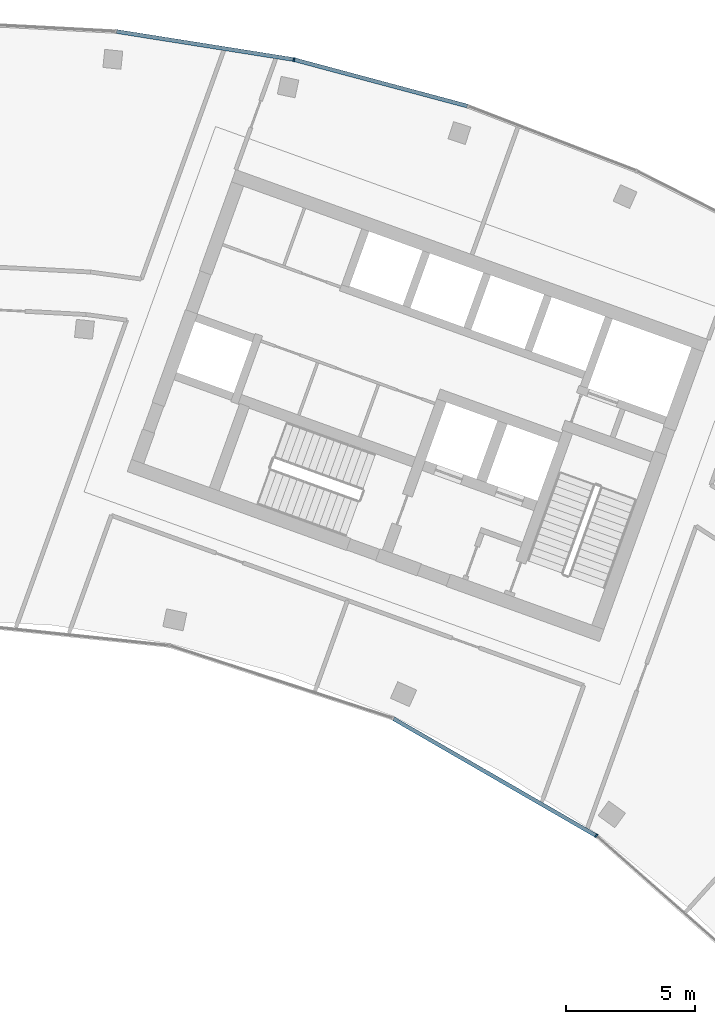
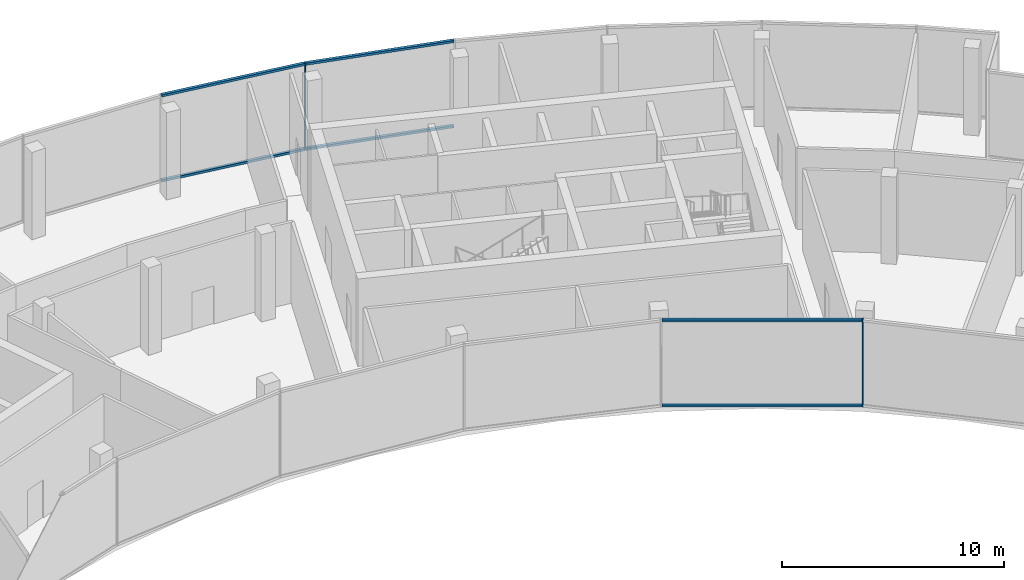
# One storey, part 8 of 17: 8 members, 2 elements without a shape of their own.
"""IFC4 building model written with IfcOpenShell, lengths in metres."""

import ifcopenshell
import ifcopenshell.guid

model = None  # the IFC model being written
_history = None  # IfcOwnerHistory: only IFC2X3 demands one
_inside = {}  # id of a spatial element -> (the spatial element, [elements in it])
_under = {}  # id of a project, library or spatial element -> (it, [spatial elements below it])
_declared = {}  # id of a project -> (the project, [libraries it declares])
_typed = {}  # id of a type object -> (the type object, [elements of that type])
_made_of = {}  # id of a material, layer set ... -> (it, [elements and type objects made of it])


def new_model(schema):
    """Start an empty IFC model of exactly this schema.

    Asked for "IFC4X3", IfcOpenShell would pick the latest addendum, in which some entities
    have other attributes; the version numbers below select the first issue.
    IFC2X3 requires an IfcOwnerHistory on every rooted entity: one is made here for all.
    """
    global model, _history
    if schema == "IFC4X3":
        model = ifcopenshell.file(schema_version=(4, 3, 0, 0))
    else:
        model = ifcopenshell.file(schema=schema)
    _inside.clear()
    _under.clear()
    _declared.clear()
    _typed.clear()
    _made_of.clear()
    _history = None
    if model.schema == "IFC2X3":
        org = make("IfcOrganization", Name="unknown")
        user = make(
            "IfcPersonAndOrganization",
            ThePerson=make("IfcPerson", FamilyName="unknown"),
            TheOrganization=org,
        )
        app = make(
            "IfcApplication",
            ApplicationDeveloper=org,
            Version="unknown",
            ApplicationFullName="unknown",
            ApplicationIdentifier="unknown",
        )
        _history = make(
            "IfcOwnerHistory",
            OwningUser=user,
            OwningApplication=app,
            ChangeAction="ADDED",
            CreationDate=0,
        )
    return model


def make(cls, **values):
    """One entity of the class cls with the attributes given. An attribute that is None is left unset."""
    return model.create_entity(
        cls, **{name: value for name, value in values.items() if value is not None}
    )


def rooted(cls, **values):
    """An entity with a GlobalId (a new one), such as an element, a storey or a relation."""
    return make(cls, GlobalId=ifcopenshell.guid.new(), OwnerHistory=_history, **values)


def si_unit(unit_type, name, prefix=None):
    """IfcSIUnit, for example si_unit("LENGTHUNIT", "METRE", prefix="MILLI")."""
    return make("IfcSIUnit", UnitType=unit_type, Prefix=prefix, Name=name)


def assignment(units):
    """IfcUnitAssignment: the units of a project."""
    return None if units is None else make("IfcUnitAssignment", Units=units)


def point(xyz):
    """IfcCartesianPoint."""
    return None if xyz is None else make("IfcCartesianPoint", Coordinates=xyz)


def direction(xyz):
    """IfcDirection."""
    return None if xyz is None else make("IfcDirection", DirectionRatios=xyz)


def frame(location, z_axis=None, x_axis=None):
    """IfcAxis2Placement3D, a coordinate frame: its origin and axes. An axis left out is left unset."""
    return make(
        "IfcAxis2Placement3D",
        Location=point(location),
        Axis=direction(z_axis),
        RefDirection=direction(x_axis),
    )


def frame_2d(location, x_axis=None):
    """IfcAxis2Placement2D, a coordinate frame in the plane: its origin and x axis."""
    return make(
        "IfcAxis2Placement2D", Location=point(location), RefDirection=direction(x_axis)
    )


def origin():
    """The frame at (0, 0, 0) with its axes left unset."""
    return frame((0.0, 0.0, 0.0))


def origin_2d():
    """The frame at (0, 0) in the plane with its x axis left unset."""
    return frame_2d((0.0, 0.0))


def place(relative_to, where):
    """IfcLocalPlacement: puts the frame where relative to a parent placement (None: the world)."""
    return make(
        "IfcLocalPlacement", PlacementRelTo=relative_to, RelativePlacement=where
    )


def context(
    kind, dimensions, precision=None, world=None, true_north=None, identifier=None
):
    """IfcGeometricRepresentationContext, for example the 3D "Model" context."""
    return make(
        "IfcGeometricRepresentationContext",
        ContextIdentifier=identifier,
        ContextType=kind,
        CoordinateSpaceDimension=dimensions,
        Precision=precision,
        WorldCoordinateSystem=world,
        TrueNorth=true_north,
    )


def subcontext(parent, identifier, kind, view, scale=None):
    """IfcGeometricRepresentationSubContext, for example "Body" below "Model"."""
    return make(
        "IfcGeometricRepresentationSubContext",
        ContextIdentifier=identifier,
        ContextType=kind,
        ParentContext=parent,
        TargetScale=scale,
        TargetView=view,
    )


def project(units=None, contexts=None):
    """IfcProject with its units and contexts."""
    return rooted(
        "IfcProject",
        Name="project",
        RepresentationContexts=contexts,
        UnitsInContext=assignment(units),
    )


def spatial(cls, under=None, at=None, **own):
    """A site, building, storey or space (cls), placed at a placement, below another one or the project."""
    s = rooted(cls, ObjectPlacement=at, **own)
    if under is not None:
        _under.setdefault(under.id(), (under, []))[1].append(s)
    return s


def profile(cls, at=None, kind="AREA", **sizes):
    """A parametric profile (cls). Its sizes go by their IFC names, for example OverallWidth=200.0."""
    return make(cls, ProfileType=kind, Position=at, **sizes)


def rectangle(**sizes):
    """IfcRectangleProfileDef."""
    return profile("IfcRectangleProfileDef", **sizes)


def extrude(swept, where, along, depth):
    """IfcExtrudedAreaSolid: the profile swept, set in the frame where, extruded along a direction by depth."""
    return make(
        "IfcExtrudedAreaSolid",
        SweptArea=swept,
        Position=where,
        ExtrudedDirection=direction(along),
        Depth=depth,
    )


def shape(context_of_items, identifier, shape_type, items):
    """IfcShapeRepresentation: the items that make up one representation, for example the "Body"."""
    return make(
        "IfcShapeRepresentation",
        ContextOfItems=context_of_items,
        RepresentationIdentifier=identifier,
        RepresentationType=shape_type,
        Items=items,
    )


def material(Name=None, Category=None):
    """IfcMaterial."""
    return make("IfcMaterial", Name=Name, Category=Category)


def layer(
    of_material, thickness, ventilated=None, Name=None, Category=None, Priority=None
):
    """IfcMaterialLayer: one layer of a wall or slab, of a material (None: an air gap)."""
    return make(
        "IfcMaterialLayer",
        Material=of_material,
        LayerThickness=thickness,
        IsVentilated=ventilated,
        Name=Name,
        Category=Category,
        Priority=Priority,
    )


def layer_set(layers, Name=None):
    """IfcMaterialLayerSet."""
    return make("IfcMaterialLayerSet", MaterialLayers=layers, LayerSetName=Name)


def material_profile(
    of_material, cross_section, Name=None, Category=None, Priority=None
):
    """IfcMaterialProfile: a cross section and its material."""
    return make(
        "IfcMaterialProfile",
        Name=Name,
        Material=of_material,
        Profile=cross_section,
        Priority=Priority,
        Category=Category,
    )


def profile_set(profiles, Name=None, composite=None):
    """IfcMaterialProfileSet."""
    return make(
        "IfcMaterialProfileSet",
        Name=Name,
        MaterialProfiles=profiles,
        CompositeProfile=composite,
    )


def made_of(thing, what):
    """Note that an element or type object is made of a material, layer set ...; save() writes the relation."""
    if what is not None:
        _made_of.setdefault(what.id(), (what, []))[1].append(thing)
    return thing


def type_object(cls, material=None, **own):
    """A type object (cls), such as IfcWallType, which elements share."""
    return made_of(rooted(cls, **own), material)


def element(
    cls,
    number,
    at=None,
    inside=None,
    cuts=None,
    type_object=None,
    material=None,
    context=None,
    identifier="Body",
    shape_type=None,
    held_by="IfcProductDefinitionShape",
    body=None,
    shapes=None,
    **own,
):
    """One element of the class cls, such as IfcWall. Its Tag is "e" and its number.

    at: its placement. inside: the storey or other place that contains it. cuts: it is an
    opening in that element (IfcRelVoidsElement). A single representation is given by context,
    identifier, shape_type and body (its items); several are given by shapes. held_by: the class
    of the entity that holds the representations. save() writes the other relations.
    """
    e = rooted(cls, Tag="e%d" % number, ObjectPlacement=at, **own)
    if body is not None:
        shapes = [shape(context, identifier, shape_type, body)]
    if shapes is not None:
        e.Representation = make(held_by, Representations=shapes)
    if inside is not None:
        _inside.setdefault(inside.id(), (inside, []))[1].append(e)
    if cuts is not None:
        rooted(
            "IfcRelVoidsElement", RelatingBuildingElement=cuts, RelatedOpeningElement=e
        )
    if type_object is not None:
        _typed.setdefault(type_object.id(), (type_object, []))[1].append(e)
    return made_of(e, material)


def aggregate(whole, parts):
    """IfcRelAggregates: a whole, such as a stair, and the parts it consists of."""
    return rooted("IfcRelAggregates", RelatingObject=whole, RelatedObjects=parts)


def save(model, path):
    """Write the relations noted so far, then the file.

    IfcRelAggregates (storeys below a building ...), IfcRelContainedInSpatialStructure (elements
    in a storey), IfcRelDefinesByType, IfcRelAssociatesMaterial and IfcRelDeclares: one each for
    every whole, place, type object, material and project.
    """
    for whole, parts in _under.values():
        aggregate(whole, parts)
    for where, things in _inside.values():
        rooted(
            "IfcRelContainedInSpatialStructure",
            RelatedElements=things,
            RelatingStructure=where,
        )
    for kind, things in _typed.values():
        rooted("IfcRelDefinesByType", RelatedObjects=things, RelatingType=kind)
    for what, things in _made_of.values():
        rooted("IfcRelAssociatesMaterial", RelatedObjects=things, RelatingMaterial=what)
    for by, libraries in _declared.values():
        rooted("IfcRelDeclares", RelatingContext=by, RelatedDefinitions=libraries)
    model.write(path)


model = new_model("IFC4")

# Units and contexts
model_context = context("Model", 3, precision=1e-05, world=origin(), true_north=direction((0.0, 1.0)))
body_context = subcontext(model_context, "Body", "Model", "MODEL_VIEW")
ifc_project = project(units=[si_unit("LENGTHUNIT", "METRE"), si_unit("AREAUNIT", "SQUARE_METRE"), si_unit("VOLUMEUNIT", "CUBIC_METRE"), si_unit("PLANEANGLEUNIT", "RADIAN"), si_unit("MASSUNIT", "GRAM", prefix="KILO")], contexts=[model_context])

# Site, building, storey
site_placement = place(None, origin())
site = spatial("IfcSite", under=ifc_project, at=site_placement, CompositionType="ELEMENT")
building_placement = place(site_placement, origin())
building = spatial("IfcBuilding", under=site, at=building_placement, Name="Stone Belt Terrace Tower", CompositionType="ELEMENT")
storey_placement = place(building_placement, frame((0.0, 0.0, 313.39990234375)))
storey = spatial("IfcBuildingStorey", under=building, at=storey_placement, Name="L76", CompositionType="ELEMENT", Elevation=313.39990234375)

# Curtain wall, member
ifc_material = material(Name="Aluminium 6063-T6 anodised frame", Category="aluminium")
ifc_layer = layer(ifc_material, 0.14990234375)
ifc_layer_set = layer_set([ifc_layer], Name="CW-C stick curtain wall, horn ends and notches")
curtain_wall_type = type_object("IfcCurtainWallType", Name="CW-C stick curtain wall, horn ends and notches", PredefinedType="NOTDEFINED", material=ifc_layer_set)
curtain_wall_1_placement = place(storey_placement, origin())
curtain_wall_1 = element("IfcCurtainWall", 1, at=curtain_wall_1_placement, inside=storey, type_object=curtain_wall_type, Name="CW-C concave face L76", PredefinedType="NOTDEFINED")
ifc_material_profile_1 = material_profile(ifc_material, rectangle(XDim=0.14990234375, YDim=0.06005859375, at=origin_2d()), Name="Aluminium 6063-T6 60x150")
ifc_profile_set_1 = profile_set([ifc_material_profile_1], Name="Aluminium 6063-T6 anodised frame")
member_type_1 = type_object("IfcMemberType", Name="CW-C mullion 60 x 150", PredefinedType="MULLION", material=ifc_profile_set_1)
member_1_placement = place(storey_placement, frame((25.524658203125, 35.131103515625, 0.0), z_axis=(0.0, 0.0, 1.0), x_axis=(0.583818854632, 0.811883947973, 0.0)))
member_1 = element("IfcMember", 2, at=member_1_placement, type_object=member_type_1, Name="CW-C mullion 8", PredefinedType="MULLION", context=body_context, shape_type="SweptSolid", body=[
    extrude(rectangle(XDim=0.14990234375, YDim=0.06005859375, at=origin_2d()), origin(), (0.0, 0.0, 1.0), 4.800048828125),
])

curtain_wall_2_placement = place(storey_placement, origin())
curtain_wall_2 = element("IfcCurtainWall", 3, at=curtain_wall_2_placement, inside=storey, type_object=curtain_wall_type, Name="CW-C convex face L76", PredefinedType="NOTDEFINED")
member_2_placement = place(storey_placement, frame((13.841796875, 65.120361328125, 0.0), z_axis=(0.0, 0.0, 1.0), x_axis=(-0.207911690818, -0.978147600734, 0.0)))
member_2 = element("IfcMember", 4, at=member_2_placement, type_object=member_type_1, Name="CW-C mullion 6", PredefinedType="MULLION", context=body_context, shape_type="SweptSolid", body=[
    extrude(rectangle(XDim=0.14990234375, YDim=0.06005859375, at=origin_2d()), origin(), (0.0, 0.0, 1.0), 4.800048828125),
])

# Member
ifc_material_profile_2 = material_profile(ifc_material, rectangle(XDim=0.14990234375, YDim=0.1201171875, at=origin_2d()), Name="Aluminium 6063-T6 150x120")
ifc_profile_set_2 = profile_set([ifc_material_profile_2], Name="Aluminium 6063-T6 anodised frame")
member_type_2 = type_object("IfcMemberType", Name="CW-C transom 120 x 150", PredefinedType="USERDEFINED", material=ifc_profile_set_2)
member_3_placement = place(storey_placement, frame((17.695068359375, 39.651611328125, 0.06005859375), z_axis=(0.866018510292, -0.500011939689, 0.0), x_axis=(0.500011939689, 0.866018510292, 0.0)))
member_3 = element("IfcMember", 5, at=member_3_placement, type_object=member_type_2, Name="CW-C transom 7.1", ObjectType="TRANSOM", PredefinedType="USERDEFINED", context=body_context, shape_type="SweptSolid", body=[
    extrude(rectangle(XDim=0.14990234375, YDim=0.1201171875, at=origin_2d()), origin(), (0.0, 0.0, 1.0), 9.003662109375),
])

member_4_placement = place(storey_placement, frame((17.695068359375, 39.651611328125, 4.739990234375), z_axis=(0.866018510292, -0.500011939689, 0.0), x_axis=(0.500011939689, 0.866018510292, 0.0)))
member_4 = element("IfcMember", 6, at=member_4_placement, type_object=member_type_2, Name="CW-C transom 7.2", ObjectType="TRANSOM", PredefinedType="USERDEFINED", context=body_context, shape_type="SweptSolid", body=[
    extrude(rectangle(XDim=0.14990234375, YDim=0.1201171875, at=origin_2d()), origin(), (0.0, 0.0, 1.0), 9.003662109375),
])

aggregate(curtain_wall_1, [member_1, member_3, member_4])

member_5_placement = place(storey_placement, frame((20.5400390625, 63.325439453125, 0.06005859375), z_axis=(-0.965921835863, 0.258833937117, 0.0), x_axis=(-0.258833937117, -0.965921835863, 0.0)))
member_5 = element("IfcMember", 7, at=member_5_placement, type_object=member_type_2, Name="CW-C transom 5.1", ObjectType="TRANSOM", PredefinedType="USERDEFINED", context=body_context, shape_type="SweptSolid", body=[
    extrude(rectangle(XDim=0.14990234375, YDim=0.1201171875, at=origin_2d()), origin(), (0.0, 0.0, 1.0), 6.900634765625),
])

member_6_placement = place(storey_placement, frame((20.5400390625, 63.325439453125, 4.739990234375), z_axis=(-0.965921835863, 0.258833937117, 0.0), x_axis=(-0.258833937117, -0.965921835863, 0.0)))
member_6 = element("IfcMember", 8, at=member_6_placement, type_object=member_type_2, Name="CW-C transom 5.2", ObjectType="TRANSOM", PredefinedType="USERDEFINED", context=body_context, shape_type="SweptSolid", body=[
    extrude(rectangle(XDim=0.14990234375, YDim=0.1201171875, at=origin_2d()), origin(), (0.0, 0.0, 1.0), 6.900634765625),
])

member_7_placement = place(storey_placement, frame((13.808349609375, 65.12548828125, 0.06005859375), z_axis=(-0.987687120531, 0.156442168027, 0.0), x_axis=(-0.156442168027, -0.987687120531, 0.0)))
member_7 = element("IfcMember", 9, at=member_7_placement, type_object=member_type_2, Name="CW-C transom 6.1", ObjectType="TRANSOM", PredefinedType="USERDEFINED", context=body_context, shape_type="SweptSolid", body=[
    extrude(rectangle(XDim=0.14990234375, YDim=0.1201171875, at=origin_2d()), origin(), (0.0, 0.0, 1.0), 6.90087890625),
])

member_8_placement = place(storey_placement, frame((13.808349609375, 65.12548828125, 4.739990234375), z_axis=(-0.987687120531, 0.156442168027, 0.0), x_axis=(-0.156442168027, -0.987687120531, 0.0)))
member_8 = element("IfcMember", 10, at=member_8_placement, type_object=member_type_2, Name="CW-C transom 6.2", ObjectType="TRANSOM", PredefinedType="USERDEFINED", context=body_context, shape_type="SweptSolid", body=[
    extrude(rectangle(XDim=0.14990234375, YDim=0.1201171875, at=origin_2d()), origin(), (0.0, 0.0, 1.0), 6.90087890625),
])

aggregate(curtain_wall_2, [member_2, member_5, member_6, member_7, member_8])

save(model, "model.ifc")
